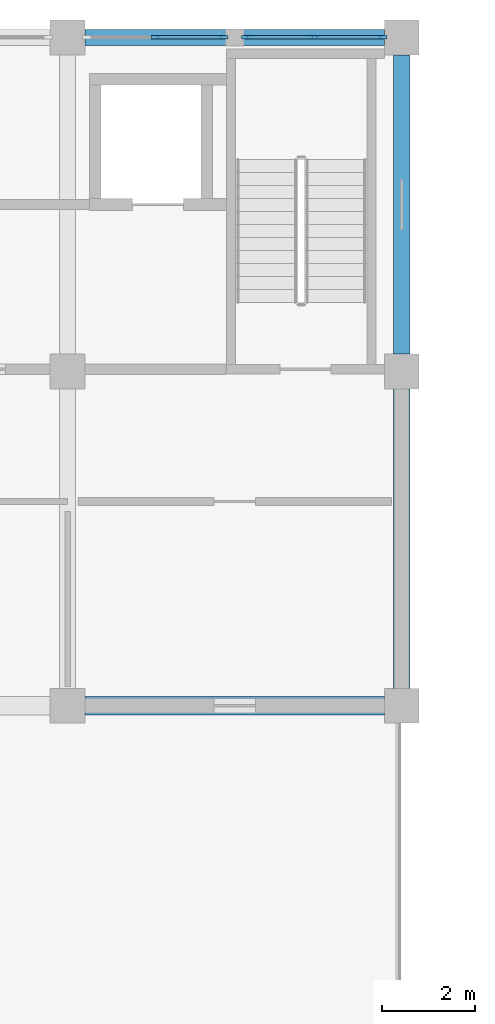
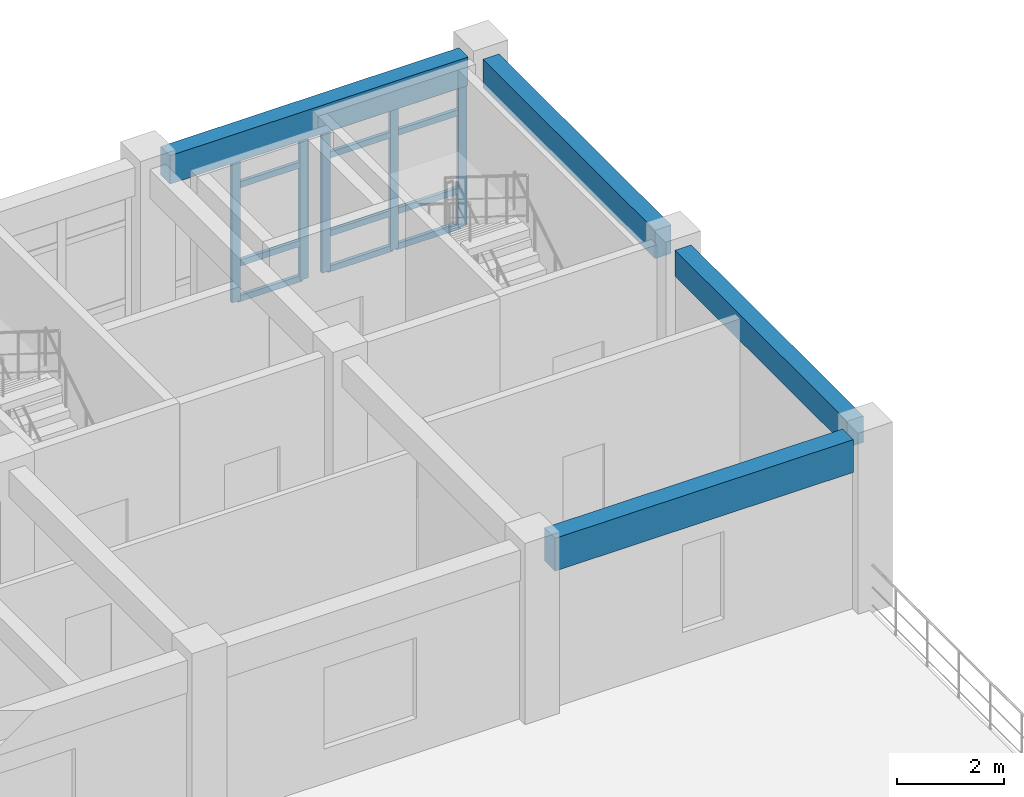
# One storey, part 52 of 136: 17 members, 4 beams, 2 elements without a shape of their own.
"""IFC4 building model written with IfcOpenShell, lengths in metres."""

from ifc_helpers import new_model, si_unit, direction, frame, origin, origin_2d, place, context, subcontext, project, spatial, rectangle, extrude, material, layer, layer_set, material_profile, profile_set, type_object, element, aggregate, save


model = new_model("IFC4")

# Units and contexts
model_context = context("Model", 3, precision=1e-05, world=origin(), true_north=direction((0.0, 1.0)))
body_context = subcontext(model_context, "Body", "Model", "MODEL_VIEW")
ifc_project = project(units=[si_unit("LENGTHUNIT", "METRE"), si_unit("AREAUNIT", "SQUARE_METRE"), si_unit("VOLUMEUNIT", "CUBIC_METRE"), si_unit("PLANEANGLEUNIT", "RADIAN"), si_unit("MASSUNIT", "GRAM", prefix="KILO")], contexts=[model_context])

# Site, building, storey
site_placement = place(None, origin())
site = spatial("IfcSite", under=ifc_project, at=site_placement, CompositionType="ELEMENT")
building_placement = place(site_placement, origin())
building = spatial("IfcBuilding", under=site, at=building_placement, Name="Koriwan Promenade Central Fire Station", CompositionType="ELEMENT")
storey_placement = place(building_placement, frame((0.0, 0.0, 5.39990234375)))
storey = spatial("IfcBuildingStorey", under=building, at=storey_placement, Name="L01", CompositionType="ELEMENT", Elevation=5.39990234375)

# Beams
ifc_material_1 = material(Name="Concrete C35/45", Category="concrete")
ifc_material_profile_1 = material_profile(ifc_material_1, rectangle(XDim=0.35009765625, YDim=0.60009765625, at=origin_2d()), Name="RC-BM-350x600")
ifc_profile_set_1 = profile_set([ifc_material_profile_1], Name="Concrete C35/45")
beam_type_1 = type_object("IfcBeamType", Name="Beam_RC-BM-350x600", PredefinedType="BEAM", material=ifc_profile_set_1)
beam_1_placement = place(storey_placement, frame((100.800048828125, 101.175048828125, 3.650146484375), z_axis=(0.0, 1.0, 0.0), x_axis=(-1.0, 0.0, 0.0)))
element("IfcBeam", 1, at=beam_1_placement, inside=storey, type_object=beam_type_1, Name="V2 L01 girder Y-134", PredefinedType="BEAM", context=body_context, shape_type="SweptSolid", body=[
    extrude(rectangle(XDim=0.35009765625, YDim=0.60009765625, at=origin_2d()), origin(), (0.0, 0.0, 1.0), 6.449951171875),
])
ifc_material_profile_2 = material_profile(ifc_material_1, rectangle(XDim=0.35009765625, YDim=0.64990234375, at=origin_2d()), Name="RC-BM-350x650")
ifc_profile_set_2 = profile_set([ifc_material_profile_2], Name="Concrete C35/45")
beam_type_2 = type_object("IfcBeamType", Name="Beam_RC-BM-350x650", PredefinedType="BEAM", material=ifc_profile_set_2)
beam_2_placement = place(storey_placement, frame((100.800048828125, 108.375, 3.625), z_axis=(0.0, 1.0, 0.0), x_axis=(-1.0, 0.0, 0.0)))
element("IfcBeam", 2, at=beam_2_placement, inside=storey, type_object=beam_type_2, Name="V2 L01 girder Y-135", PredefinedType="BEAM", context=body_context, shape_type="SweptSolid", body=[
    extrude(rectangle(XDim=0.35009765625, YDim=0.64990234375, at=origin_2d()), origin(), (0.0, 0.0, 1.0), 6.449951171875),
])
ifc_material_profile_3 = material_profile(ifc_material_1, rectangle(XDim=0.39990234375, YDim=0.75, at=origin_2d()), Name="RC-BM-400x750")
ifc_profile_set_3 = profile_set([ifc_material_profile_3], Name="Concrete C35/45")
beam_type_3 = type_object("IfcBeamType", Name="Beam_RC-BM-400x750", PredefinedType="BEAM", material=ifc_profile_set_3)
beam_3_placement = place(storey_placement, frame((93.97509765625, 100.800048828125, 3.5751953125), z_axis=(1.0, 0.0, 0.0), x_axis=(0.0, 1.0, 0.0)))
element("IfcBeam", 3, at=beam_3_placement, inside=storey, type_object=beam_type_3, Name="V2 L01 girder X-123", PredefinedType="BEAM", context=body_context, shape_type="SweptSolid", body=[
    extrude(rectangle(XDim=0.39990234375, YDim=0.75, at=origin_2d()), origin(), (0.0, 0.0, 1.0), 6.449951171875),
])
ifc_material_profile_4 = material_profile(ifc_material_1, rectangle(XDim=0.35009765625, YDim=0.64990234375, at=origin_2d()), Name="RC-SP-350x650")
ifc_profile_set_4 = profile_set([ifc_material_profile_4], Name="Concrete C35/45")
beam_type_4 = type_object("IfcBeamType", Name="Beam_RC-SP-350x650", PredefinedType="SPANDREL", material=ifc_profile_set_4)
beam_4_placement = place(storey_placement, frame((93.97509765625, 115.199951171875, 3.625), z_axis=(1.0, 0.0, 0.0), x_axis=(0.0, 1.0, 0.0)))
element("IfcBeam", 4, at=beam_4_placement, inside=storey, type_object=beam_type_4, Name="V2 L01 girder X-127", PredefinedType="SPANDREL", context=body_context, shape_type="SweptSolid", body=[
    extrude(rectangle(XDim=0.35009765625, YDim=0.64990234375, at=origin_2d()), origin(), (0.0, 0.0, 1.0), 6.449951171875),
])

# Curtain wall, members
ifc_material_2 = material(Name="Aluminium EN AW-6063-T6 and low-E glazing", Category="aluminium")
ifc_layer_1 = layer(ifc_material_2, 0.159912109375, Name="Aluminium EN AW-6063-T6 and low-E glazing")
ifc_layer_set_1 = layer_set([ifc_layer_1], Name="Aluminium EN AW-6063-T6 and low-E glazing")
curtain_wall_type_1 = type_object("IfcCurtainWallType", Name="CurtainWall_07_302x329", PredefinedType="USERDEFINED", material=ifc_layer_set_1)
curtain_wall_1_placement = place(storey_placement, origin())
curtain_wall_1 = element("IfcCurtainWall", 5, at=curtain_wall_1_placement, inside=storey, type_object=curtain_wall_type_1, Name="V2 L01 unitised curtain wall 021", ObjectType="UNITISED CURTAIN WALL", PredefinedType="USERDEFINED")
ifc_material_3 = material(Name="Aluminium EN AW-6063-T6", Category="aluminium")
ifc_material_profile_5 = material_profile(ifc_material_3, rectangle(XDim=0.074951171875, YDim=0.179931640625, at=origin_2d()), Name="ALU-MUL-75x180")
ifc_profile_set_5 = profile_set([ifc_material_profile_5], Name="Aluminium EN AW-6063-T6")
member_type_1 = type_object("IfcMemberType", Name="CWMullion_ALU-MUL-75x180", PredefinedType="MULLION", material=ifc_profile_set_5)
member_1_placement = place(storey_placement, frame((100.387451171875, 115.199951171875, 0.0), z_axis=(0.0, 0.0, 1.0), x_axis=(0.0, -1.0, 0.0)))
member_1 = element("IfcMember", 6, at=member_1_placement, type_object=member_type_1, Name="CW-07 mullion 1", PredefinedType="MULLION", context=body_context, shape_type="SweptSolid", body=[
    extrude(rectangle(XDim=0.074951171875, YDim=0.179931640625, at=origin_2d()), origin(), (0.0, 0.0, 1.0), 3.2900390625),
])
member_2_placement = place(storey_placement, frame((98.91259765625, 115.199951171875, 0.0), z_axis=(0.0, 0.0, 1.0), x_axis=(0.0, -1.0, 0.0)))
member_2 = element("IfcMember", 7, at=member_2_placement, type_object=member_type_1, Name="CW-07 mullion 2", PredefinedType="MULLION", context=body_context, shape_type="SweptSolid", body=[
    extrude(rectangle(XDim=0.074951171875, YDim=0.179931640625, at=origin_2d()), origin(), (0.0, 0.0, 1.0), 3.2900390625),
])
member_3_placement = place(storey_placement, frame((97.4375, 115.199951171875, 0.0), z_axis=(0.0, 0.0, 1.0), x_axis=(0.0, -1.0, 0.0)))
member_3 = element("IfcMember", 8, at=member_3_placement, type_object=member_type_1, Name="CW-07 mullion 3", PredefinedType="MULLION", context=body_context, shape_type="SweptSolid", body=[
    extrude(rectangle(XDim=0.074951171875, YDim=0.179931640625, at=origin_2d()), origin(), (0.0, 0.0, 1.0), 3.2900390625),
])

ifc_layer_2 = layer(ifc_material_2, 0.159912109375, Name="Aluminium EN AW-6063-T6 and low-E glazing")
ifc_layer_set_2 = layer_set([ifc_layer_2], Name="Aluminium EN AW-6063-T6 and low-E glazing")
curtain_wall_type_2 = type_object("IfcCurtainWallType", Name="CurtainWall_08_303x329", PredefinedType="USERDEFINED", material=ifc_layer_set_2)
curtain_wall_2_placement = place(storey_placement, origin())
curtain_wall_2 = element("IfcCurtainWall", 9, at=curtain_wall_2_placement, inside=storey, type_object=curtain_wall_type_2, Name="V2 L01 unitised curtain wall 022", ObjectType="UNITISED CURTAIN WALL", PredefinedType="USERDEFINED")
member_4_placement = place(storey_placement, frame((96.96240234375, 115.199951171875, 0.0), z_axis=(0.0, 0.0, 1.0), x_axis=(0.0, -1.0, 0.0)))
member_4 = element("IfcMember", 10, at=member_4_placement, type_object=member_type_1, Name="CW-08 mullion 1", PredefinedType="MULLION", context=body_context, shape_type="SweptSolid", body=[
    extrude(rectangle(XDim=0.074951171875, YDim=0.179931640625, at=origin_2d()), origin(), (0.0, 0.0, 1.0), 3.2900390625),
])
member_5_placement = place(storey_placement, frame((95.487548828125, 115.199951171875, 0.0), z_axis=(0.0, 0.0, 1.0), x_axis=(0.0, -1.0, 0.0)))
member_5 = element("IfcMember", 11, at=member_5_placement, type_object=member_type_1, Name="CW-08 mullion 2", PredefinedType="MULLION", context=body_context, shape_type="SweptSolid", body=[
    extrude(rectangle(XDim=0.074951171875, YDim=0.179931640625, at=origin_2d()), origin(), (0.0, 0.0, 1.0), 3.2900390625),
])

# Member
ifc_material_profile_6 = material_profile(ifc_material_3, rectangle(XDim=0.074951171875, YDim=0.139892578125, at=origin_2d()), Name="ALU-TRN-75x140")
ifc_profile_set_6 = profile_set([ifc_material_profile_6], Name="Aluminium EN AW-6063-T6")
member_type_2 = type_object("IfcMemberType", Name="CWTransom_ALU-TRN-75x140", PredefinedType="USERDEFINED", material=ifc_profile_set_6)
member_6_placement = place(storey_placement, frame((100.35009765625, 115.199951171875, 0.03759765625), z_axis=(-1.0, 0.0, 0.0), x_axis=(0.0, -1.0, 0.0)))
member_6 = element("IfcMember", 12, at=member_6_placement, type_object=member_type_2, Name="CW-07 transom 1.1", ObjectType="TRANSOM", PredefinedType="USERDEFINED", context=body_context, shape_type="SweptSolid", body=[
    extrude(rectangle(XDim=0.074951171875, YDim=0.139892578125, at=origin_2d()), origin(), (0.0, 0.0, 1.0), 1.400146484375),
])

member_7_placement = place(storey_placement, frame((100.35009765625, 115.199951171875, 0.85009765625), z_axis=(-1.0, 0.0, 0.0), x_axis=(0.0, -1.0, 0.0)))
member_7 = element("IfcMember", 13, at=member_7_placement, type_object=member_type_2, Name="CW-07 transom 1.2", ObjectType="TRANSOM", PredefinedType="USERDEFINED", context=body_context, shape_type="SweptSolid", body=[
    extrude(rectangle(XDim=0.074951171875, YDim=0.139892578125, at=origin_2d()), origin(), (0.0, 0.0, 1.0), 1.400146484375),
])

member_8_placement = place(storey_placement, frame((100.35009765625, 115.199951171875, 2.64013671875), z_axis=(-1.0, 0.0, 0.0), x_axis=(0.0, -1.0, 0.0)))
member_8 = element("IfcMember", 14, at=member_8_placement, type_object=member_type_2, Name="CW-07 transom 1.3", ObjectType="TRANSOM", PredefinedType="USERDEFINED", context=body_context, shape_type="SweptSolid", body=[
    extrude(rectangle(XDim=0.074951171875, YDim=0.139892578125, at=origin_2d()), origin(), (0.0, 0.0, 1.0), 1.400146484375),
])

member_9_placement = place(storey_placement, frame((100.35009765625, 115.199951171875, 3.252685546875), z_axis=(-1.0, 0.0, 0.0), x_axis=(0.0, -1.0, 0.0)))
member_9 = element("IfcMember", 15, at=member_9_placement, type_object=member_type_2, Name="CW-07 transom 1.4", ObjectType="TRANSOM", PredefinedType="USERDEFINED", context=body_context, shape_type="SweptSolid", body=[
    extrude(rectangle(XDim=0.074951171875, YDim=0.139892578125, at=origin_2d()), origin(), (0.0, 0.0, 1.0), 1.400146484375),
])

member_10_placement = place(storey_placement, frame((98.875, 115.199951171875, 0.03759765625), z_axis=(-1.0, 0.0, 0.0), x_axis=(0.0, -1.0, 0.0)))
member_10 = element("IfcMember", 16, at=member_10_placement, type_object=member_type_2, Name="CW-07 transom 2.1", ObjectType="TRANSOM", PredefinedType="USERDEFINED", context=body_context, shape_type="SweptSolid", body=[
    extrude(rectangle(XDim=0.074951171875, YDim=0.139892578125, at=origin_2d()), origin(), (0.0, 0.0, 1.0), 1.39990234375),
])

member_11_placement = place(storey_placement, frame((98.875, 115.199951171875, 0.85009765625), z_axis=(-1.0, 0.0, 0.0), x_axis=(0.0, -1.0, 0.0)))
member_11 = element("IfcMember", 17, at=member_11_placement, type_object=member_type_2, Name="CW-07 transom 2.2", ObjectType="TRANSOM", PredefinedType="USERDEFINED", context=body_context, shape_type="SweptSolid", body=[
    extrude(rectangle(XDim=0.074951171875, YDim=0.139892578125, at=origin_2d()), origin(), (0.0, 0.0, 1.0), 1.39990234375),
])

member_12_placement = place(storey_placement, frame((98.875, 115.199951171875, 2.64013671875), z_axis=(-1.0, 0.0, 0.0), x_axis=(0.0, -1.0, 0.0)))
member_12 = element("IfcMember", 18, at=member_12_placement, type_object=member_type_2, Name="CW-07 transom 2.3", ObjectType="TRANSOM", PredefinedType="USERDEFINED", context=body_context, shape_type="SweptSolid", body=[
    extrude(rectangle(XDim=0.074951171875, YDim=0.139892578125, at=origin_2d()), origin(), (0.0, 0.0, 1.0), 1.39990234375),
])

member_13_placement = place(storey_placement, frame((98.875, 115.199951171875, 3.252685546875), z_axis=(-1.0, 0.0, 0.0), x_axis=(0.0, -1.0, 0.0)))
member_13 = element("IfcMember", 19, at=member_13_placement, type_object=member_type_2, Name="CW-07 transom 2.4", ObjectType="TRANSOM", PredefinedType="USERDEFINED", context=body_context, shape_type="SweptSolid", body=[
    extrude(rectangle(XDim=0.074951171875, YDim=0.139892578125, at=origin_2d()), origin(), (0.0, 0.0, 1.0), 1.39990234375),
])

aggregate(curtain_wall_1, [member_1, member_2, member_3, member_6, member_7, member_8, member_9, member_10, member_11, member_12, member_13])

member_14_placement = place(storey_placement, frame((96.925048828125, 115.199951171875, 0.03759765625), z_axis=(-1.0, 0.0, 0.0), x_axis=(0.0, -1.0, 0.0)))
member_14 = element("IfcMember", 20, at=member_14_placement, type_object=member_type_2, Name="CW-08 transom 1.1", ObjectType="TRANSOM", PredefinedType="USERDEFINED", context=body_context, shape_type="SweptSolid", body=[
    extrude(rectangle(XDim=0.074951171875, YDim=0.139892578125, at=origin_2d()), origin(), (0.0, 0.0, 1.0), 1.400146484375),
])

member_15_placement = place(storey_placement, frame((96.925048828125, 115.199951171875, 0.85009765625), z_axis=(-1.0, 0.0, 0.0), x_axis=(0.0, -1.0, 0.0)))
member_15 = element("IfcMember", 21, at=member_15_placement, type_object=member_type_2, Name="CW-08 transom 1.2", ObjectType="TRANSOM", PredefinedType="USERDEFINED", context=body_context, shape_type="SweptSolid", body=[
    extrude(rectangle(XDim=0.074951171875, YDim=0.139892578125, at=origin_2d()), origin(), (0.0, 0.0, 1.0), 1.400146484375),
])

member_16_placement = place(storey_placement, frame((96.925048828125, 115.199951171875, 2.64013671875), z_axis=(-1.0, 0.0, 0.0), x_axis=(0.0, -1.0, 0.0)))
member_16 = element("IfcMember", 22, at=member_16_placement, type_object=member_type_2, Name="CW-08 transom 1.3", ObjectType="TRANSOM", PredefinedType="USERDEFINED", context=body_context, shape_type="SweptSolid", body=[
    extrude(rectangle(XDim=0.074951171875, YDim=0.139892578125, at=origin_2d()), origin(), (0.0, 0.0, 1.0), 1.400146484375),
])

member_17_placement = place(storey_placement, frame((96.925048828125, 115.199951171875, 3.252685546875), z_axis=(-1.0, 0.0, 0.0), x_axis=(0.0, -1.0, 0.0)))
member_17 = element("IfcMember", 23, at=member_17_placement, type_object=member_type_2, Name="CW-08 transom 1.4", ObjectType="TRANSOM", PredefinedType="USERDEFINED", context=body_context, shape_type="SweptSolid", body=[
    extrude(rectangle(XDim=0.074951171875, YDim=0.139892578125, at=origin_2d()), origin(), (0.0, 0.0, 1.0), 1.400146484375),
])

aggregate(curtain_wall_2, [member_4, member_5, member_14, member_15, member_16, member_17])

save(model, "model.ifc")
